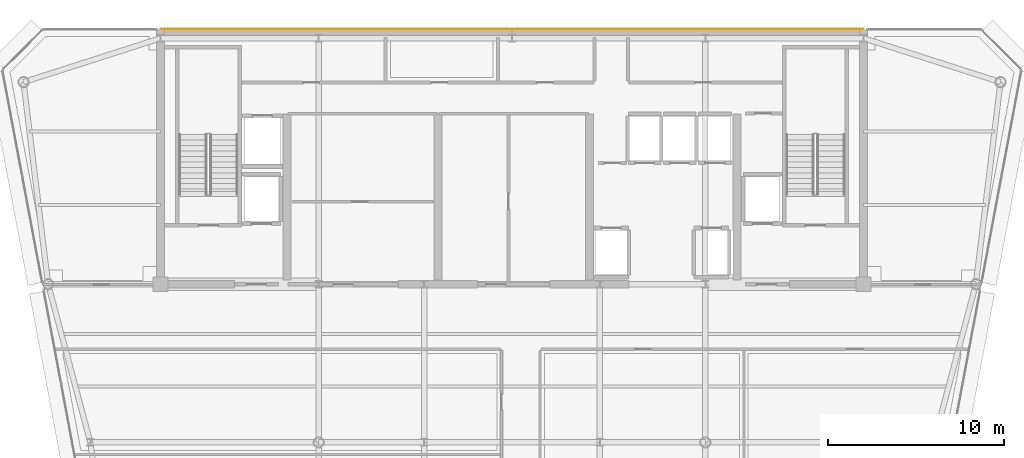
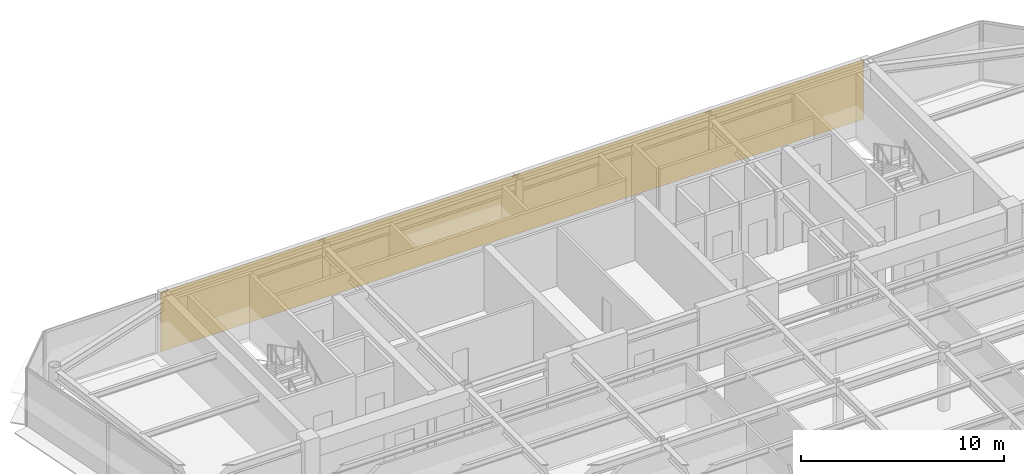
# One storey, part 18 of 19: 1 covering.
"""IFC4 building model written with IfcOpenShell, lengths in metres."""

import ifcopenshell
import ifcopenshell.guid

model = None  # the IFC model being written
_history = None  # IfcOwnerHistory: only IFC2X3 demands one
_inside = {}  # id of a spatial element -> (the spatial element, [elements in it])
_under = {}  # id of a project, library or spatial element -> (it, [spatial elements below it])
_declared = {}  # id of a project -> (the project, [libraries it declares])
_typed = {}  # id of a type object -> (the type object, [elements of that type])
_made_of = {}  # id of a material, layer set ... -> (it, [elements and type objects made of it])


def new_model(schema):
    """Start an empty IFC model of exactly this schema.

    Asked for "IFC4X3", IfcOpenShell would pick the latest addendum, in which some entities
    have other attributes; the version numbers below select the first issue.
    IFC2X3 requires an IfcOwnerHistory on every rooted entity: one is made here for all.
    """
    global model, _history
    if schema == "IFC4X3":
        model = ifcopenshell.file(schema_version=(4, 3, 0, 0))
    else:
        model = ifcopenshell.file(schema=schema)
    _inside.clear()
    _under.clear()
    _declared.clear()
    _typed.clear()
    _made_of.clear()
    _history = None
    if model.schema == "IFC2X3":
        org = make("IfcOrganization", Name="unknown")
        user = make(
            "IfcPersonAndOrganization",
            ThePerson=make("IfcPerson", FamilyName="unknown"),
            TheOrganization=org,
        )
        app = make(
            "IfcApplication",
            ApplicationDeveloper=org,
            Version="unknown",
            ApplicationFullName="unknown",
            ApplicationIdentifier="unknown",
        )
        _history = make(
            "IfcOwnerHistory",
            OwningUser=user,
            OwningApplication=app,
            ChangeAction="ADDED",
            CreationDate=0,
        )
    return model


def make(cls, **values):
    """One entity of the class cls with the attributes given. An attribute that is None is left unset."""
    return model.create_entity(
        cls, **{name: value for name, value in values.items() if value is not None}
    )


def rooted(cls, **values):
    """An entity with a GlobalId (a new one), such as an element, a storey or a relation."""
    return make(cls, GlobalId=ifcopenshell.guid.new(), OwnerHistory=_history, **values)


def si_unit(unit_type, name, prefix=None):
    """IfcSIUnit, for example si_unit("LENGTHUNIT", "METRE", prefix="MILLI")."""
    return make("IfcSIUnit", UnitType=unit_type, Prefix=prefix, Name=name)


def assignment(units):
    """IfcUnitAssignment: the units of a project."""
    return None if units is None else make("IfcUnitAssignment", Units=units)


def point(xyz):
    """IfcCartesianPoint."""
    return None if xyz is None else make("IfcCartesianPoint", Coordinates=xyz)


def direction(xyz):
    """IfcDirection."""
    return None if xyz is None else make("IfcDirection", DirectionRatios=xyz)


def frame(location, z_axis=None, x_axis=None):
    """IfcAxis2Placement3D, a coordinate frame: its origin and axes. An axis left out is left unset."""
    return make(
        "IfcAxis2Placement3D",
        Location=point(location),
        Axis=direction(z_axis),
        RefDirection=direction(x_axis),
    )


def origin():
    """The frame at (0, 0, 0) with its axes left unset."""
    return frame((0.0, 0.0, 0.0))


def place(relative_to, where):
    """IfcLocalPlacement: puts the frame where relative to a parent placement (None: the world)."""
    return make(
        "IfcLocalPlacement", PlacementRelTo=relative_to, RelativePlacement=where
    )


def context(
    kind, dimensions, precision=None, world=None, true_north=None, identifier=None
):
    """IfcGeometricRepresentationContext, for example the 3D "Model" context."""
    return make(
        "IfcGeometricRepresentationContext",
        ContextIdentifier=identifier,
        ContextType=kind,
        CoordinateSpaceDimension=dimensions,
        Precision=precision,
        WorldCoordinateSystem=world,
        TrueNorth=true_north,
    )


def subcontext(parent, identifier, kind, view, scale=None):
    """IfcGeometricRepresentationSubContext, for example "Body" below "Model"."""
    return make(
        "IfcGeometricRepresentationSubContext",
        ContextIdentifier=identifier,
        ContextType=kind,
        ParentContext=parent,
        TargetScale=scale,
        TargetView=view,
    )


def project(units=None, contexts=None):
    """IfcProject with its units and contexts."""
    return rooted(
        "IfcProject",
        Name="project",
        RepresentationContexts=contexts,
        UnitsInContext=assignment(units),
    )


def spatial(cls, under=None, at=None, **own):
    """A site, building, storey or space (cls), placed at a placement, below another one or the project."""
    s = rooted(cls, ObjectPlacement=at, **own)
    if under is not None:
        _under.setdefault(under.id(), (under, []))[1].append(s)
    return s


def polyline(points):
    """IfcPolyline through the points."""
    return make("IfcPolyline", Points=[point(p) for p in points])


def outline(outer, holes=None, kind="AREA"):
    """IfcArbitraryClosedProfileDef: a profile drawn as a closed curve; with holes, ...WithVoids."""
    if holes is None:
        return make("IfcArbitraryClosedProfileDef", ProfileType=kind, OuterCurve=outer)
    return make(
        "IfcArbitraryProfileDefWithVoids",
        ProfileType=kind,
        OuterCurve=outer,
        InnerCurves=holes,
    )


def extrude(swept, where, along, depth):
    """IfcExtrudedAreaSolid: the profile swept, set in the frame where, extruded along a direction by depth."""
    return make(
        "IfcExtrudedAreaSolid",
        SweptArea=swept,
        Position=where,
        ExtrudedDirection=direction(along),
        Depth=depth,
    )


def shape(context_of_items, identifier, shape_type, items):
    """IfcShapeRepresentation: the items that make up one representation, for example the "Body"."""
    return make(
        "IfcShapeRepresentation",
        ContextOfItems=context_of_items,
        RepresentationIdentifier=identifier,
        RepresentationType=shape_type,
        Items=items,
    )


def material(Name=None, Category=None):
    """IfcMaterial."""
    return make("IfcMaterial", Name=Name, Category=Category)


def layer(
    of_material, thickness, ventilated=None, Name=None, Category=None, Priority=None
):
    """IfcMaterialLayer: one layer of a wall or slab, of a material (None: an air gap)."""
    return make(
        "IfcMaterialLayer",
        Material=of_material,
        LayerThickness=thickness,
        IsVentilated=ventilated,
        Name=Name,
        Category=Category,
        Priority=Priority,
    )


def layer_set(layers, Name=None):
    """IfcMaterialLayerSet."""
    return make("IfcMaterialLayerSet", MaterialLayers=layers, LayerSetName=Name)


def made_of(thing, what):
    """Note that an element or type object is made of a material, layer set ...; save() writes the relation."""
    if what is not None:
        _made_of.setdefault(what.id(), (what, []))[1].append(thing)
    return thing


def type_object(cls, material=None, **own):
    """A type object (cls), such as IfcWallType, which elements share."""
    return made_of(rooted(cls, **own), material)


def element(
    cls,
    number,
    at=None,
    inside=None,
    cuts=None,
    type_object=None,
    material=None,
    context=None,
    identifier="Body",
    shape_type=None,
    held_by="IfcProductDefinitionShape",
    body=None,
    shapes=None,
    **own,
):
    """One element of the class cls, such as IfcWall. Its Tag is "e" and its number.

    at: its placement. inside: the storey or other place that contains it. cuts: it is an
    opening in that element (IfcRelVoidsElement). A single representation is given by context,
    identifier, shape_type and body (its items); several are given by shapes. held_by: the class
    of the entity that holds the representations. save() writes the other relations.
    """
    e = rooted(cls, Tag="e%d" % number, ObjectPlacement=at, **own)
    if body is not None:
        shapes = [shape(context, identifier, shape_type, body)]
    if shapes is not None:
        e.Representation = make(held_by, Representations=shapes)
    if inside is not None:
        _inside.setdefault(inside.id(), (inside, []))[1].append(e)
    if cuts is not None:
        rooted(
            "IfcRelVoidsElement", RelatingBuildingElement=cuts, RelatedOpeningElement=e
        )
    if type_object is not None:
        _typed.setdefault(type_object.id(), (type_object, []))[1].append(e)
    return made_of(e, material)


def aggregate(whole, parts):
    """IfcRelAggregates: a whole, such as a stair, and the parts it consists of."""
    return rooted("IfcRelAggregates", RelatingObject=whole, RelatedObjects=parts)


def save(model, path):
    """Write the relations noted so far, then the file.

    IfcRelAggregates (storeys below a building ...), IfcRelContainedInSpatialStructure (elements
    in a storey), IfcRelDefinesByType, IfcRelAssociatesMaterial and IfcRelDeclares: one each for
    every whole, place, type object, material and project.
    """
    for whole, parts in _under.values():
        aggregate(whole, parts)
    for where, things in _inside.values():
        rooted(
            "IfcRelContainedInSpatialStructure",
            RelatedElements=things,
            RelatingStructure=where,
        )
    for kind, things in _typed.values():
        rooted("IfcRelDefinesByType", RelatedObjects=things, RelatingType=kind)
    for what, things in _made_of.values():
        rooted("IfcRelAssociatesMaterial", RelatedObjects=things, RelatingMaterial=what)
    for by, libraries in _declared.values():
        rooted("IfcRelDeclares", RelatingContext=by, RelatedDefinitions=libraries)
    model.write(path)


model = new_model("IFC4")

# Units and contexts
model_context = context("Model", 3, precision=1e-05, world=origin(), true_north=direction((0.0, 1.0)))
body_context = subcontext(model_context, "Body", "Model", "MODEL_VIEW")
ifc_project = project(units=[si_unit("LENGTHUNIT", "METRE"), si_unit("AREAUNIT", "SQUARE_METRE"), si_unit("VOLUMEUNIT", "CUBIC_METRE"), si_unit("PLANEANGLEUNIT", "RADIAN"), si_unit("MASSUNIT", "GRAM", prefix="KILO")], contexts=[model_context])

# Site, building, storey
site_placement = place(None, origin())
site = spatial("IfcSite", under=ifc_project, at=site_placement, CompositionType="ELEMENT")
building_placement = place(site_placement, origin())
building = spatial("IfcBuilding", under=site, at=building_placement, Name="Vaeldorn Concourse Tower", CompositionType="ELEMENT")
storey_placement = place(building_placement, frame((0.0, 0.0, 272.60009765625)))
storey = spatial("IfcBuildingStorey", under=building, at=storey_placement, Name="L70", CompositionType="ELEMENT", Elevation=272.60009765625)

# Covering
ifc_material = material(Name="Anodised Bronze Aluminium", Category="aluminium")
ifc_layer = layer(ifc_material, 0.050048828125)
ifc_layer_set = layer_set([ifc_layer], Name="Anodised Bronze Aluminium")
covering_type = type_object("IfcCoveringType", Name="COV-CLAD-BRONZE", PredefinedType="CLADDING", material=ifc_layer_set)
covering_placement = place(storey_placement, origin())
element("IfcCovering", 1, at=covering_placement, inside=storey, type_object=covering_type, Name="Rear Core Bronze Spandrel Cladding L70", PredefinedType="CLADDING", context=body_context, shape_type="SweptSolid", body=[
    extrude(outline(polyline([(14.0, 51.0), (54.0, 51.0), (54.0, 51.050048828125), (14.0, 51.050048828125), (14.0, 51.0)])), origin(), (0.0, 0.0, 1.0), 3.579833984375),
])

save(model, "model.ifc")
